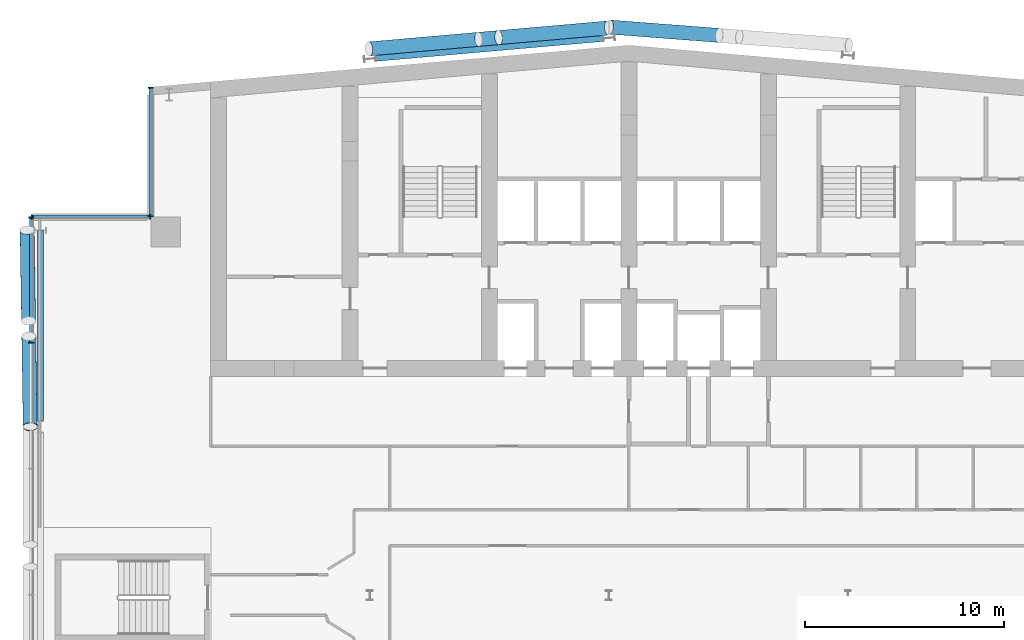
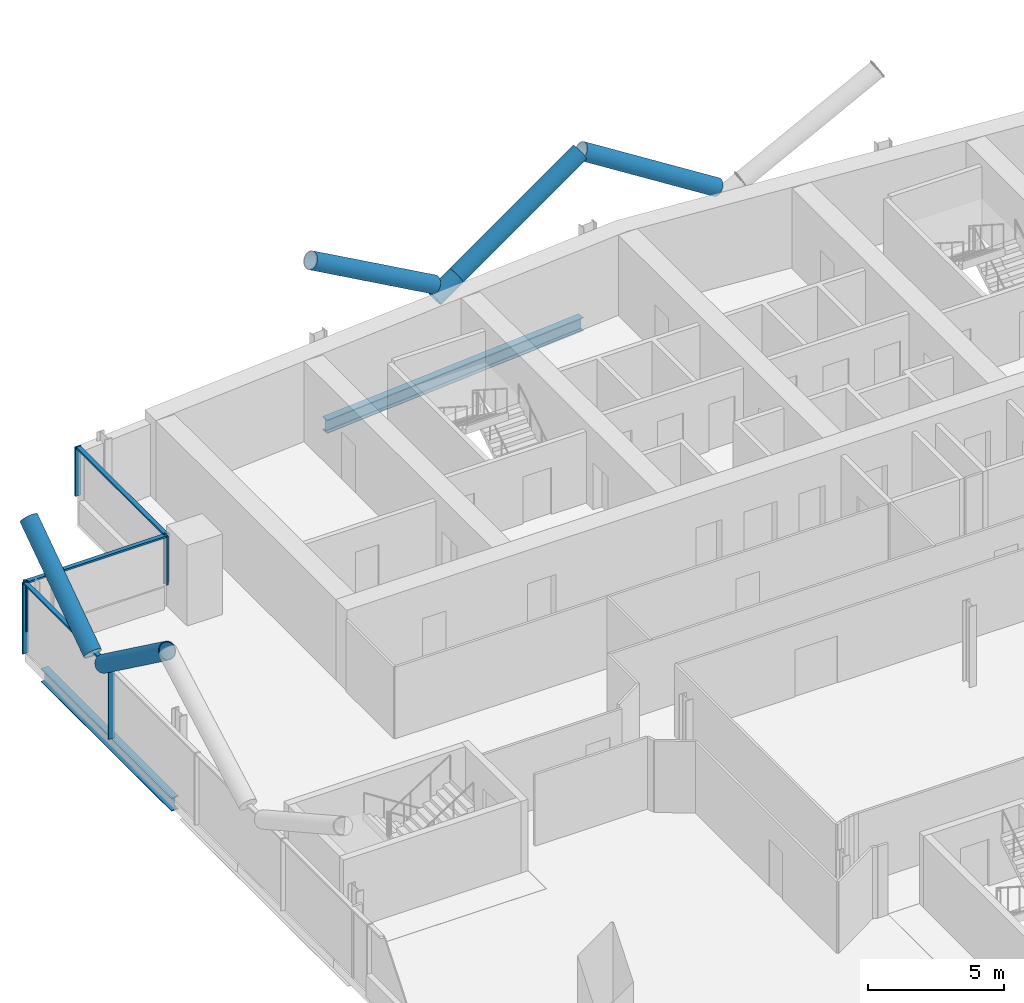
# One storey, part 9 of 27: 15 members, 2 beams, 3 elements without a shape of their own.
"""IFC4 building model written with IfcOpenShell, lengths in metres."""

from ifc_helpers import new_model, si_unit, direction, frame, origin, origin_2d, place, context, subcontext, project, spatial, rectangle, hollow_circle, i_section, extrude, material, material_profile, profile_set, type_object, element, aggregate, save


model = new_model("IFC4")

# Units and contexts
model_context = context("Model", 3, precision=1e-05, world=origin(), true_north=direction((0.0, 1.0)))
body_context = subcontext(model_context, "Body", "Model", "MODEL_VIEW")
ifc_project = project(units=[si_unit("LENGTHUNIT", "METRE"), si_unit("AREAUNIT", "SQUARE_METRE"), si_unit("VOLUMEUNIT", "CUBIC_METRE"), si_unit("PLANEANGLEUNIT", "RADIAN"), si_unit("MASSUNIT", "GRAM", prefix="KILO")], contexts=[model_context])

# Site, building, storey
site_placement = place(None, origin())
site = spatial("IfcSite", under=ifc_project, at=site_placement, CompositionType="ELEMENT")
building_placement = place(site_placement, origin())
building = spatial("IfcBuilding", under=site, at=building_placement, Name="Wharfspan Tower", CompositionType="ELEMENT")
storey_placement = place(building_placement, frame((0.0, 0.0, 159.100098)))
storey = spatial("IfcBuildingStorey", under=building, at=storey_placement, Name="L38", CompositionType="ELEMENT", Elevation=159.100098)

# Member
ifc_material_1 = material(Name="Steel S460NH", Category="steel")
ifc_material_profile_1 = material_profile(ifc_material_1, hollow_circle(Radius=0.355469, WallThickness=0.035889, at=origin_2d()))
ifc_profile_set_1 = profile_set([ifc_material_profile_1], Name="Steel S460NH")
member_type_1 = type_object("IfcMemberType", Name="Brace node tie CHS 711x36", PredefinedType="STRUT", material=ifc_profile_set_1)
member_1_placement = place(storey_placement, frame((29.459473, 50.919434, 2.601807), z_axis=(0.855035, 0.074808, 0.513147), x_axis=(-0.087158, 0.996192, 0.0)))
element("IfcMember", 1, at=member_1_placement, inside=storey, type_object=member_type_1, Name="Brace node tie L38 N7", PredefinedType="STRUT", context=body_context, shape_type="SweptSolid", body=[
    extrude(hollow_circle(Radius=0.355469, WallThickness=0.035889, at=origin_2d()), origin(), (0.0, 0.0, 1.0), 1.161865),
])

# Beams
ifc_material_2 = material(Name="Steel S355J2", Category="steel")
ifc_material_profile_2 = material_profile(ifc_material_2, i_section(OverallWidth=0.300049, OverallDepth=0.600098, WebThickness=0.015381, FlangeThickness=0.030029, FilletRadius=0.0271, at=origin_2d()))
ifc_profile_set_2 = profile_set([ifc_material_profile_2], Name="Steel S355J2")
beam_type = type_object("IfcBeamType", Name="Edge beam HEB 600", PredefinedType="SPANDREL", material=ifc_profile_set_2)
beam_1_placement = place(storey_placement, frame((35.705078, 50.961426, -0.700195), z_axis=(-0.996194, -0.087158, 0.0), x_axis=(0.087158, -0.996194, 0.0)))
element("IfcBeam", 2, at=beam_1_placement, inside=storey, type_object=beam_type, Name="Edge beam N1 L38 R.2 to R.1", PredefinedType="SPANDREL", context=body_context, shape_type="SweptSolid", body=[
    extrude(i_section(OverallWidth=0.300049, OverallDepth=0.600098, WebThickness=0.015381, FlangeThickness=0.030029, FilletRadius=0.0271, at=origin_2d()), origin(), (0.0, 0.0, 1.0), 11.453857),
])
beam_2_placement = place(storey_placement, frame((7.450439, 41.32666, -0.700195), z_axis=(-5.1e-05, -1.0, 0.0), x_axis=(1.0, -5.1e-05, 0.0)))
element("IfcBeam", 3, at=beam_2_placement, inside=storey, type_object=beam_type, Name="Edge beam W L38 PNRW-H.1 to PW.1", PredefinedType="SPANDREL", context=body_context, shape_type="SweptSolid", body=[
    extrude(i_section(OverallWidth=0.300049, OverallDepth=0.600098, WebThickness=0.015381, FlangeThickness=0.030029, FilletRadius=0.0271, at=origin_2d()), origin(), (0.0, 0.0, 1.0), 9.553955),
])

# Curtain wall, members
ifc_material_3 = material(Name="Aluminium 6063-T6", Category="aluminium")
curtain_wall_type = type_object("IfcCurtainWallType", Name="CURTAIN WALL PROW AND END", PredefinedType="NOTDEFINED", material=ifc_material_3)
curtain_wall_1_placement = place(storey_placement, origin())
curtain_wall_1 = element("IfcCurtainWall", 4, at=curtain_wall_1_placement, inside=storey, type_object=curtain_wall_type, Name="Curtain wall NRW-V", PredefinedType="NOTDEFINED")
ifc_material_profile_3 = material_profile(ifc_material_3, rectangle(XDim=0.23999, YDim=0.060059, at=origin_2d()))
ifc_profile_set_3 = profile_set([ifc_material_profile_3], Name="Aluminium 6063-T6")
member_type_2 = type_object("IfcMemberType", Name="MULLION PROW AND END 60x240", PredefinedType="MULLION", material=ifc_profile_set_3)
member_2_placement = place(storey_placement, frame((13.0, 48.494873, 1.0), z_axis=(0.0, 0.0, 1.0), x_axis=(1.0, 0.0, 0.0)))
member_2 = element("IfcMember", 5, at=member_2_placement, type_object=member_type_2, Name="Curtain wall NRW-V mullion 1", PredefinedType="MULLION", context=body_context, shape_type="SweptSolid", body=[
    extrude(rectangle(XDim=0.23999, YDim=0.060059, at=origin_2d()), origin(), (0.0, 0.0, 1.0), 2.199951),
])
member_3_placement = place(storey_placement, frame((13.0, 42.030029, 1.0), z_axis=(0.0, 0.0, 1.0), x_axis=(1.0, 0.0, 0.0)))
member_3 = element("IfcMember", 6, at=member_3_placement, type_object=member_type_2, Name="Curtain wall NRW-V mullion 2", PredefinedType="MULLION", context=body_context, shape_type="SweptSolid", body=[
    extrude(rectangle(XDim=0.23999, YDim=0.060059, at=origin_2d()), origin(), (0.0, 0.0, 1.0), 2.199951),
])

curtain_wall_2_placement = place(storey_placement, origin())
curtain_wall_2 = element("IfcCurtainWall", 7, at=curtain_wall_2_placement, inside=storey, type_object=curtain_wall_type, Name="Curtain wall NRW-H", PredefinedType="NOTDEFINED")
member_4_placement = place(storey_placement, frame((12.969971, 42.0, 1.0), z_axis=(0.0, 0.0, 1.0), x_axis=(0.0, -1.0, 0.0)))
member_4 = element("IfcMember", 8, at=member_4_placement, type_object=member_type_2, Name="Curtain wall NRW-H mullion 1", PredefinedType="MULLION", context=body_context, shape_type="SweptSolid", body=[
    extrude(rectangle(XDim=0.23999, YDim=0.060059, at=origin_2d()), origin(), (0.0, 0.0, 1.0), 2.199951),
])
member_5_placement = place(storey_placement, frame((7.030029, 42.0, 1.0), z_axis=(0.0, 0.0, 1.0), x_axis=(0.0, -1.0, 0.0)))
member_5 = element("IfcMember", 9, at=member_5_placement, type_object=member_type_2, Name="Curtain wall NRW-H mullion 2", PredefinedType="MULLION", context=body_context, shape_type="SweptSolid", body=[
    extrude(rectangle(XDim=0.23999, YDim=0.060059, at=origin_2d()), origin(), (0.0, 0.0, 1.0), 2.199951),
])

curtain_wall_3_placement = place(storey_placement, origin())
curtain_wall_3 = element("IfcCurtainWall", 10, at=curtain_wall_3_placement, inside=storey, type_object=curtain_wall_type, Name="Curtain wall W", PredefinedType="NOTDEFINED")
member_6_placement = place(storey_placement, frame((7.0, 41.969971, 0.0), z_axis=(0.0, 0.0, 1.0), x_axis=(1.0, 0.0, 0.0)))
member_6 = element("IfcMember", 11, at=member_6_placement, type_object=member_type_2, Name="Curtain wall W mullion 1", PredefinedType="MULLION", context=body_context, shape_type="SweptSolid", body=[
    extrude(rectangle(XDim=0.23999, YDim=0.060059, at=origin_2d()), origin(), (0.0, 0.0, 1.0), 3.199951),
])
member_7_placement = place(storey_placement, frame((7.0, 35.679932, 0.0), z_axis=(0.0, 0.0, 1.0), x_axis=(1.0, 0.0, 0.0)))
member_7 = element("IfcMember", 12, at=member_7_placement, type_object=member_type_2, Name="Curtain wall W mullion 2", PredefinedType="MULLION", context=body_context, shape_type="SweptSolid", body=[
    extrude(rectangle(XDim=0.23999, YDim=0.060059, at=origin_2d()), origin(), (0.0, 0.0, 1.0), 3.199951),
])

# Members
ifc_material_profile_4 = material_profile(ifc_material_1, hollow_circle(Radius=0.355469, WallThickness=0.035889, at=origin_2d()))
ifc_profile_set_4 = profile_set([ifc_material_profile_4], Name="Steel S460NH")
member_type_3 = type_object("IfcMemberType", Name="Mega brace CHS 711x36", PredefinedType="BRACE", material=ifc_profile_set_4)
for number, where, z_axis, x_axis, name in (
    (13, (6.872803, 36.009033, 3.185059), (0.01285, -0.807711, 0.589439), (0.999876, 0.015905, -3e-06), "Mega brace W4 L38 part 2"),
    (14, (6.860352, 36.790771, 3.185059), (-0.01285, 0.807696, 0.589459), (-0.999875, -0.015906, -2e-06), "Mega brace W4 L38 part 4"),
):
    element("IfcMember", number, at=place(storey_placement, frame(where, z_axis=z_axis, x_axis=x_axis)), inside=storey, type_object=member_type_3, Name=name, PredefinedType="BRACE", context=body_context, shape_type="SweptSolid", body=[
        extrude(hollow_circle(Radius=0.355469, WallThickness=0.035889, at=origin_2d()), origin(), (0.0, 0.0, 1.0), 5.623779),
    ])
member_8_placement = place(storey_placement, frame((30.461426, 51.00708, 3.203125), z_axis=(0.855094, 0.074807, 0.513049), x_axis=(-0.087152, 0.996192, 2e-06)))
element("IfcMember", 15, at=member_8_placement, inside=storey, type_object=member_type_3, Name="Mega brace N7 L38 part 2", PredefinedType="BRACE", context=body_context, shape_type="SweptSolid", body=[
    extrude(hollow_circle(Radius=0.355469, WallThickness=0.035889, at=origin_2d()), origin(), (0.0, 0.0, 1.0), 6.426025),
])
member_9_placement = place(storey_placement, frame((29.450928, 50.918701, 3.203125), z_axis=(-0.855083, -0.074809, 0.513065), x_axis=(0.087154, -0.996196, -1e-06)))
element("IfcMember", 16, at=member_9_placement, inside=storey, type_object=member_type_3, Name="Mega brace N7 L38 part 4", PredefinedType="BRACE", context=body_context, shape_type="SweptSolid", body=[
    extrude(hollow_circle(Radius=0.355469, WallThickness=0.035889, at=origin_2d()), origin(), (0.0, 0.0, 1.0), 6.425781),
])
member_10_placement = place(storey_placement, frame((41.533447, 51.114502, 3.202881), z_axis=(-0.855596, 0.065362, 0.513502), x_axis=(-0.076171, -0.997095, 1e-06)))
element("IfcMember", 17, at=member_10_placement, inside=storey, type_object=member_type_3, Name="Mega brace N8 L38 part 4", PredefinedType="BRACE", context=body_context, shape_type="SweptSolid", body=[
    extrude(hollow_circle(Radius=0.355469, WallThickness=0.035889, at=origin_2d()), origin(), (0.0, 0.0, 1.0), 6.420898),
])

# Member
ifc_material_profile_5 = material_profile(ifc_material_3, rectangle(XDim=0.179932, YDim=0.080078, at=origin_2d()))
ifc_profile_set_5 = profile_set([ifc_material_profile_5], Name="Aluminium 6063-T6")
member_type_4 = type_object("IfcMemberType", Name="TRANSOM PROW AND END 80x180", PredefinedType="USERDEFINED", material=ifc_profile_set_5)
member_11_placement = place(storey_placement, frame((13.0, 48.464844, 3.159912), z_axis=(0.0, -1.0, 0.0), x_axis=(1.0, 0.0, 0.0)))
member_11 = element("IfcMember", 18, at=member_11_placement, type_object=member_type_4, Name="Curtain wall NRW-V transom 1", ObjectType="TRANSOM", PredefinedType="USERDEFINED", context=body_context, shape_type="SweptSolid", body=[
    extrude(rectangle(XDim=0.179932, YDim=0.080078, at=origin_2d()), origin(), (0.0, 0.0, 1.0), 6.404785),
])

aggregate(curtain_wall_1, [member_2, member_3, member_11])

member_12_placement = place(storey_placement, frame((12.939941, 42.0, 3.159912), z_axis=(-1.0, 0.0, 0.0), x_axis=(0.0, -1.0, 0.0)))
member_12 = element("IfcMember", 19, at=member_12_placement, type_object=member_type_4, Name="Curtain wall NRW-H transom 1", ObjectType="TRANSOM", PredefinedType="USERDEFINED", context=body_context, shape_type="SweptSolid", body=[
    extrude(rectangle(XDim=0.179932, YDim=0.080078, at=origin_2d()), origin(), (0.0, 0.0, 1.0), 5.879883),
])

aggregate(curtain_wall_2, [member_4, member_5, member_12])

member_13_placement = place(storey_placement, frame((7.0, 41.939941, 3.159912), z_axis=(0.0, -1.0, 0.0), x_axis=(1.0, 0.0, 0.0)))
member_13 = element("IfcMember", 20, at=member_13_placement, type_object=member_type_4, Name="Curtain wall W transom 1", ObjectType="TRANSOM", PredefinedType="USERDEFINED", context=body_context, shape_type="SweptSolid", body=[
    extrude(rectangle(XDim=0.179932, YDim=0.080078, at=origin_2d()), origin(), (0.0, 0.0, 1.0), 6.22998),
])

aggregate(curtain_wall_3, [member_6, member_7, member_13])

save(model, "model.ifc")
